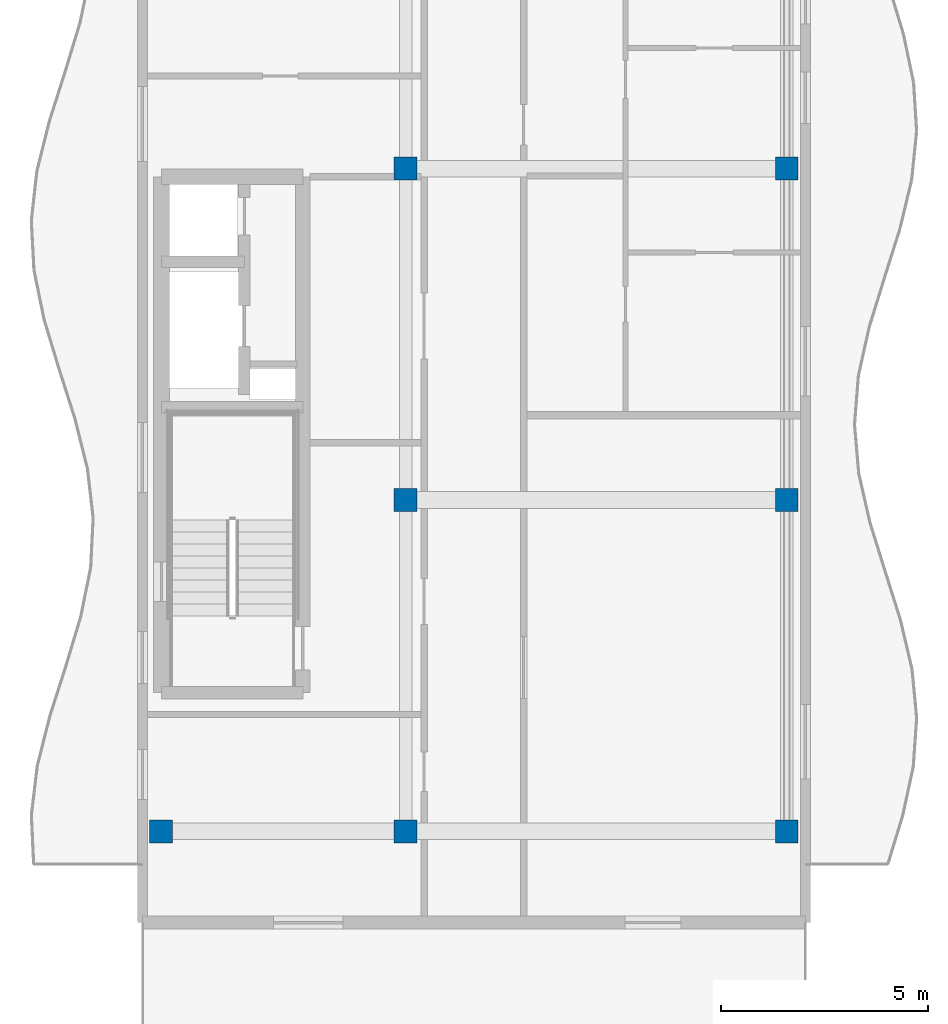
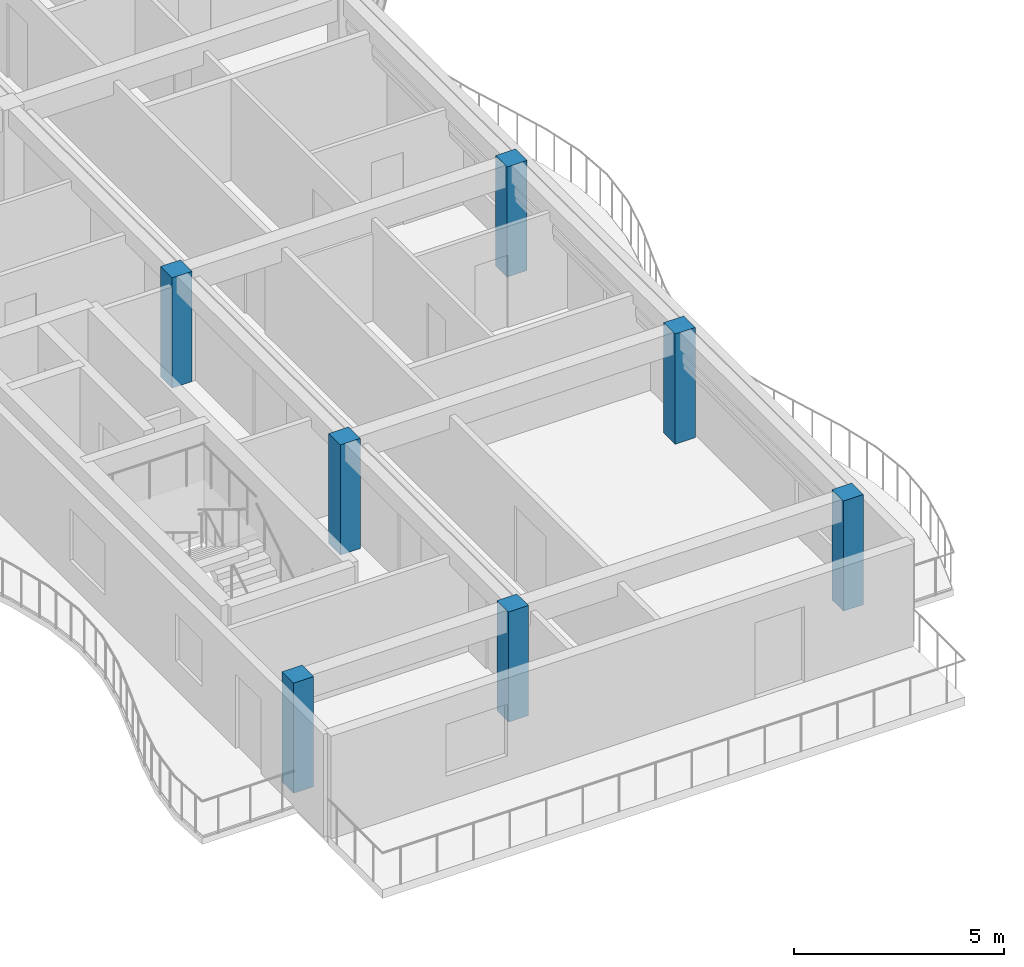
# One storey, part 1 of 54: 7 columns.
"""IFC4 building model written with IfcOpenShell, lengths in metres."""

from ifc_helpers import new_model, si_unit, direction, frame, origin, origin_2d, place, context, subcontext, project, spatial, rectangle, extrude, material, material_profile, profile_set, type_object, element, save


model = new_model("IFC4")

# Units and contexts
model_context = context("Model", 3, precision=1e-05, world=origin(), true_north=direction((0.0, 1.0)))
body_context = subcontext(model_context, "Body", "Model", "MODEL_VIEW")
ifc_project = project(units=[si_unit("LENGTHUNIT", "METRE"), si_unit("AREAUNIT", "SQUARE_METRE"), si_unit("VOLUMEUNIT", "CUBIC_METRE"), si_unit("PLANEANGLEUNIT", "RADIAN"), si_unit("MASSUNIT", "GRAM", prefix="KILO")], contexts=[model_context])

# Site, building, storey
site_placement = place(None, origin())
site = spatial("IfcSite", under=ifc_project, at=site_placement, CompositionType="ELEMENT")
building_placement = place(site_placement, origin())
building = spatial("IfcBuilding", under=site, at=building_placement, Name="Keldmere Railside Commons", CompositionType="ELEMENT")
storey_placement = place(building_placement, frame((0.0, 0.0, 26.56005859375)))
storey = spatial("IfcBuildingStorey", under=building, at=storey_placement, Name="L08", CompositionType="ELEMENT", Elevation=26.56005859375)

# Columns
ifc_material = material(Name="Concrete H-35 (C35/45)", Category="concrete")
ifc_material_profile = material_profile(ifc_material, rectangle(XDim=0.550048828125, YDim=0.550048828125, at=origin_2d()), Name="RC-550x550")
ifc_profile_set = profile_set([ifc_material_profile], Name="Concrete H-35 (C35/45)")
column_type = type_object("IfcColumnType", Name="Upper-Mid RC Column 550x550", PredefinedType="COLUMN", material=ifc_profile_set)
for number, where, z_axis, x_axis, name in (
    (1, (48.449951171875, 64.0, 0.0), (0.0, 0.0, 1.0), (1.0, 0.0, 0.0), "C-550 COL-L08-0447"),
    (2, (54.35009765625, 64.0, 0.0), (0.0, 0.0, 1.0), (1.0, 0.0, 0.0), "C-550 COL-L08-0493"),
    (3, (54.35009765625, 72.0, 0.0), (0.0, 0.0, 1.0), (1.0, 0.0, 0.0), "C-550 COL-L08-0503"),
    (4, (54.35009765625, 80.0, 0.0), (0.0, 0.0, 1.0), (1.0, 0.0, 0.0), "C-550 COL-L08-0514"),
    (5, (63.550048828125, 64.0, 0.0), (0.0, 0.0, 1.0), (1.0, 0.0, 0.0), "C-550 COL-L08-0579"),
    (6, (63.550048828125, 72.0, 0.0), (0.0, 0.0, 1.0), (1.0, 0.0, 0.0), "C-550 COL-L08-0589"),
    (7, (63.550048828125, 80.0, 0.0), (0.0, 0.0, 1.0), (1.0, 0.0, 0.0), "C-550 COL-L08-0600"),
):
    element("IfcColumn", number, at=place(storey_placement, frame(where, z_axis=z_axis, x_axis=x_axis)), inside=storey, type_object=column_type, Name=name, PredefinedType="COLUMN", context=body_context, shape_type="SweptSolid", body=[
        extrude(rectangle(XDim=0.550048828125, YDim=0.550048828125, at=origin_2d()), origin(), (0.0, 0.0, 1.0), 3.199951171875),
    ])

save(model, "model.ifc")
